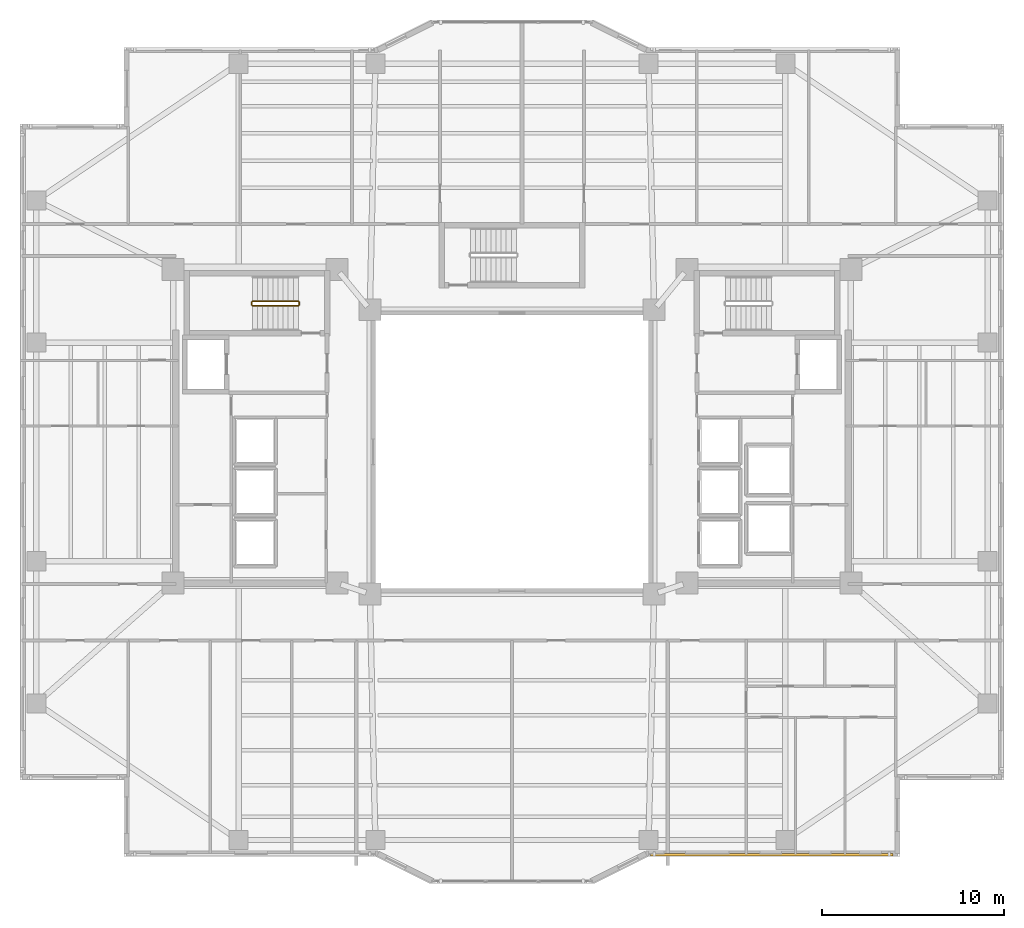
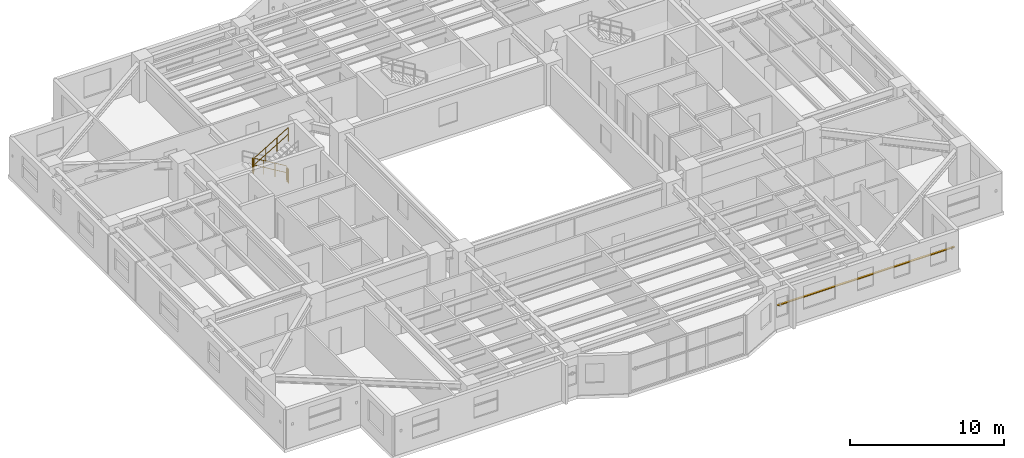
# One storey, part 15 of 18: 4 railings, 1 shading device.
"""IFC4 building model written with IfcOpenShell, lengths in metres."""

from ifc_helpers import new_model, si_unit, direction, frame, origin, origin_2d, place, context, subcontext, project, spatial, rectangle, circle, extrude, material, material_profile, profile_set, type_object, element, save


model = new_model("IFC4")

# Units and contexts
model_context = context("Model", 3, precision=1e-05, world=origin(), true_north=direction((0.0, 1.0)))
body_context = subcontext(model_context, "Body", "Model", "MODEL_VIEW")
ifc_project = project(units=[si_unit("LENGTHUNIT", "METRE"), si_unit("AREAUNIT", "SQUARE_METRE"), si_unit("VOLUMEUNIT", "CUBIC_METRE"), si_unit("PLANEANGLEUNIT", "RADIAN"), si_unit("MASSUNIT", "GRAM", prefix="KILO")], contexts=[model_context])

# Site, building, storey
site_placement = place(None, origin())
site = spatial("IfcSite", under=ifc_project, at=site_placement, CompositionType="ELEMENT")
building_placement = place(site_placement, origin())
building = spatial("IfcBuilding", under=site, at=building_placement, Name="Tarnavaz Court Tower", CompositionType="ELEMENT")
storey_placement = place(building_placement, frame((0.0, 0.0, 105.10009765625)))
storey = spatial("IfcBuildingStorey", under=building, at=storey_placement, Name="L28", CompositionType="ELEMENT", Elevation=105.10009765625)

# Railings
ifc_material_1 = material(Name="Galvanized Painted Tubular Steel", Category="steel")
railing_type = type_object("IfcRailingType", Name="RL-STGUARD-1120", PredefinedType="GUARDRAIL", material=ifc_material_1)
railing_1_placement = place(storey_placement, frame((-11.719970703125, 8.27001953125, 0.16748046875)))
element("IfcRailing", 1, at=railing_1_placement, inside=storey, type_object=railing_type, Name="L28 ST-W1 stair guard 1", PredefinedType="GUARDRAIL", context=body_context, shape_type="SweptSolid", body=[
    extrude(circle(Radius=0.02392578125, at=origin_2d()), frame((0.0, 0.0, 1.09619140625), z_axis=(-0.858196387827, 0.0, 0.513321497621), x_axis=(0.0, -1.0, 0.0)), (0.0, 0.0, 1.0), 2.9365234375),
    extrude(circle(Radius=0.02392578125, at=origin_2d()), frame((0.0, 0.0, 0.56005859375), z_axis=(-0.858196387827, 0.0, 0.513321497621), x_axis=(0.0, -1.0, 0.0)), (0.0, 0.0, 1.0), 2.9365234375),
    extrude(circle(Radius=0.02099609375, at=origin_2d()), origin(), (0.0, 0.0, 1.0), 1.072021484375),
    extrude(circle(Radius=0.02099609375, at=origin_2d()), frame((-0.840087890625, 0.0, 0.50244140625)), (0.0, 0.0, 1.0), 1.072021484375),
    extrude(circle(Radius=0.02099609375, at=origin_2d()), frame((-1.679931640625, 0.0, 1.0048828125)), (0.0, 0.0, 1.0), 1.072021484375),
    extrude(circle(Radius=0.02099609375, at=origin_2d()), frame((-2.52001953125, 0.0, 1.50732421875)), (0.0, 0.0, 1.0), 1.072021484375),
])
railing_2_placement = place(storey_placement, frame((-14.2900390625, 8.219970703125, 1.6748046875)))
element("IfcRailing", 2, at=railing_2_placement, inside=storey, type_object=railing_type, Name="L28 ST-W1 stair guard 2", PredefinedType="GUARDRAIL", context=body_context, shape_type="SweptSolid", body=[
    extrude(circle(Radius=0.02392578125, at=origin_2d()), frame((0.0, 0.0, 1.09619140625), z_axis=(0.0, -1.0, 0.0), x_axis=(1.0, 0.0, 0.0)), (0.0, 0.0, 1.0), 0.14990234375),
    extrude(circle(Radius=0.02392578125, at=origin_2d()), frame((0.0, 0.0, 0.56005859375), z_axis=(0.0, -1.0, 0.0), x_axis=(1.0, 0.0, 0.0)), (0.0, 0.0, 1.0), 0.14990234375),
    extrude(circle(Radius=0.02099609375, at=origin_2d()), origin(), (0.0, 0.0, 1.0), 1.072021484375),
    extrude(circle(Radius=0.02099609375, at=origin_2d()), frame((0.0, -0.14990234375, 0.0)), (0.0, 0.0, 1.0), 1.072021484375),
])
railing_3_placement = place(storey_placement, frame((-14.239990234375, 8.02001953125, 1.84228515625)))
element("IfcRailing", 3, at=railing_3_placement, inside=storey, type_object=railing_type, Name="L28 ST-W1 stair guard 3", PredefinedType="GUARDRAIL", context=body_context, shape_type="SweptSolid", body=[
    extrude(circle(Radius=0.02392578125, at=origin_2d()), frame((0.0, 0.0, 1.09619140625), z_axis=(0.858159760407, 0.0, 0.513382728203), x_axis=(0.0, 1.0, 0.0)), (0.0, 0.0, 1.0), 2.9365234375),
    extrude(circle(Radius=0.02392578125, at=origin_2d()), frame((0.0, 0.0, 0.56005859375), z_axis=(0.858159760407, 0.0, 0.513382728203), x_axis=(0.0, 1.0, 0.0)), (0.0, 0.0, 1.0), 2.9365234375),
    extrude(circle(Radius=0.02099609375, at=origin_2d()), origin(), (0.0, 0.0, 1.0), 1.072021484375),
    extrude(circle(Radius=0.02099609375, at=origin_2d()), frame((0.840087890625, 0.0, 0.50244140625)), (0.0, 0.0, 1.0), 1.072021484375),
    extrude(circle(Radius=0.02099609375, at=origin_2d()), frame((1.679931640625, 0.0, 1.005126953125)), (0.0, 0.0, 1.0), 1.072021484375),
    extrude(circle(Radius=0.02099609375, at=origin_2d()), frame((2.52001953125, 0.0, 1.507568359375)), (0.0, 0.0, 1.0), 1.072021484375),
])
railing_4_placement = place(storey_placement, frame((-11.669921875, 8.219970703125, 0.0)))
element("IfcRailing", 4, at=railing_4_placement, inside=storey, type_object=railing_type, Name="L28 ST-W1 stair guard 4", PredefinedType="GUARDRAIL", context=body_context, shape_type="SweptSolid", body=[
    extrude(circle(Radius=0.02392578125, at=origin_2d()), frame((0.0, 0.0, 1.09619140625), z_axis=(0.0, -1.0, 0.0), x_axis=(1.0, 0.0, 0.0)), (0.0, 0.0, 1.0), 0.14990234375),
    extrude(circle(Radius=0.02392578125, at=origin_2d()), frame((0.0, 0.0, 0.56005859375), z_axis=(0.0, -1.0, 0.0), x_axis=(1.0, 0.0, 0.0)), (0.0, 0.0, 1.0), 0.14990234375),
    extrude(circle(Radius=0.02099609375, at=origin_2d()), origin(), (0.0, 0.0, 1.0), 1.072021484375),
    extrude(circle(Radius=0.02099609375, at=origin_2d()), frame((0.0, -0.14990234375, 0.0)), (0.0, 0.0, 1.0), 1.072021484375),
])

# Shading device
ifc_material_2 = material(Name="Kiln-Fired Khorasan Terracotta Ceramic", Category="masonry")
ifc_material_profile = material_profile(ifc_material_2, rectangle(XDim=0.14990234375, YDim=0.06494140625, at=origin_2d()), Name="TC BAGUETTE 150X65")
ifc_profile_set = profile_set([ifc_material_profile], Name="Kiln-Fired Khorasan Terracotta Ceramic")
shading_device_type = type_object("IfcShadingDeviceType", Name="SD-BAG-150", PredefinedType="USERDEFINED", material=ifc_profile_set)
shading_device_placement = place(storey_placement, frame((20.89990234375, -22.110107421875, 1.849853515625), z_axis=(-1.0, 0.0, 0.0), x_axis=(0.0, -1.0, 0.0)))
element("IfcShadingDevice", 5, at=shading_device_placement, inside=storey, type_object=shading_device_type, Name="L28 Terracotta Baguette Screen FBG15", ObjectType="BAGUETTE", PredefinedType="USERDEFINED", context=body_context, shape_type="SweptSolid", body=[
    extrude(rectangle(XDim=0.14990234375, YDim=0.06494140625, at=origin_2d()), origin(), (0.0, 0.0, 1.0), 13.2998046875),
])

save(model, "model.ifc")
